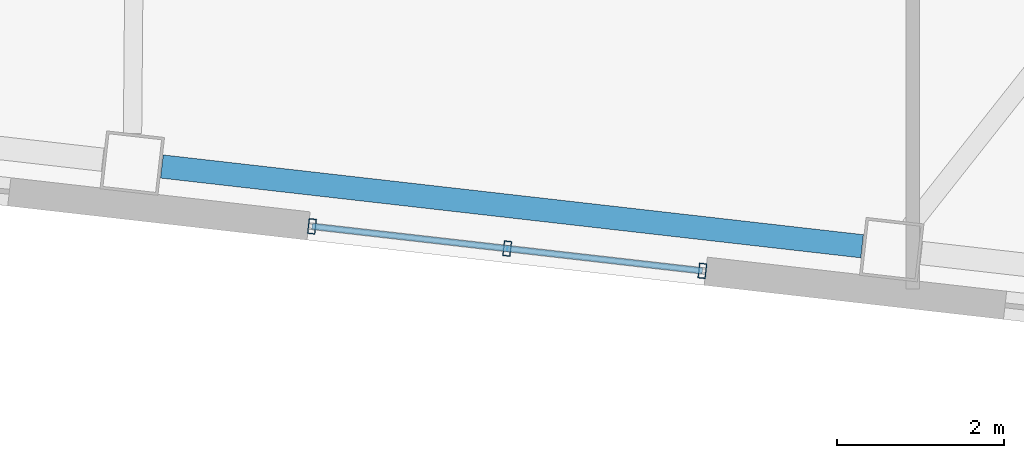
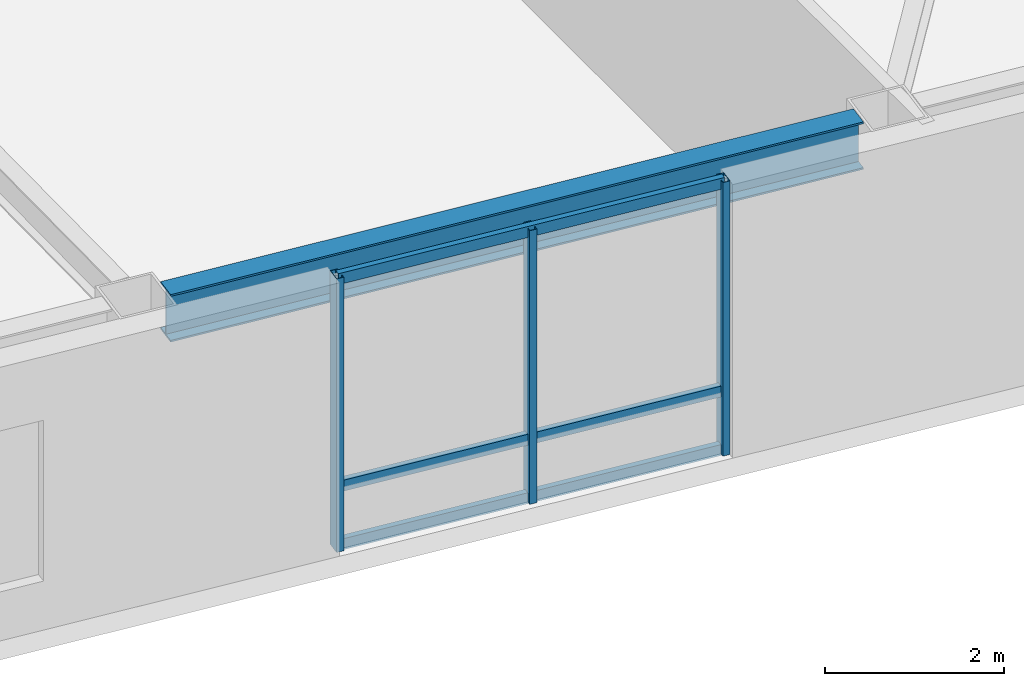
# One storey, part 3 of 19: 6 members, 1 beam, 1 element without a shape of its own.
"""IFC4 building model written with IfcOpenShell, lengths in metres."""

from ifc_helpers import new_model, si_unit, direction, frame, origin, origin_2d, place, context, subcontext, project, spatial, hollow_rectangle, i_section, extrude, material, layer, layer_set, material_profile, profile_set, type_object, element, aggregate, save


model = new_model("IFC4")

# Units and contexts
model_context = context("Model", 3, precision=1e-05, world=origin(), true_north=direction((0.0, 1.0)))
body_context = subcontext(model_context, "Body", "Model", "MODEL_VIEW")
ifc_project = project(units=[si_unit("LENGTHUNIT", "METRE"), si_unit("AREAUNIT", "SQUARE_METRE"), si_unit("VOLUMEUNIT", "CUBIC_METRE"), si_unit("PLANEANGLEUNIT", "RADIAN"), si_unit("MASSUNIT", "GRAM", prefix="KILO")], contexts=[model_context])

# Site, building, storey
site_placement = place(None, origin())
site = spatial("IfcSite", under=ifc_project, at=site_placement, CompositionType="ELEMENT")
building_placement = place(site_placement, origin())
building = spatial("IfcBuilding", under=site, at=building_placement, Name="Tavrogorsk Clinical Tower", CompositionType="ELEMENT")
storey_placement = place(building_placement, frame((0.0, 0.0, 101.39990234375)))
storey = spatial("IfcBuildingStorey", under=building, at=storey_placement, Name="L22", CompositionType="ELEMENT", Elevation=101.39990234375)

# Curtain wall, members
ifc_material_1 = material(Name="Anodised aluminium and triple IGU glazing", Category="aluminium")
ifc_layer = layer(ifc_material_1, 0.179931640625)
ifc_layer_set = layer_set([ifc_layer], Name="Anodised aluminium and triple IGU glazing")
curtain_wall_type = type_object("IfcCurtainWallType", Name="CW3_SouthSlot", PredefinedType="NOTDEFINED", material=ifc_layer_set)
curtain_wall_placement = place(storey_placement, origin())
curtain_wall = element("IfcCurtainWall", 1, at=curtain_wall_placement, inside=storey, type_object=curtain_wall_type, Name="L22 Curtain Wall CW-L22-S-SLOT-2", PredefinedType="NOTDEFINED")
ifc_material_2 = material(Name="Anodised aluminium alloy AW-6060", Category="aluminium")
ifc_material_profile_1 = material_profile(ifc_material_2, hollow_rectangle(XDim=0.090087890625, YDim=0.179931640625, WallThickness=0.00634765625, at=origin_2d()), Name="RHS-180x90x6.3")
ifc_profile_set_1 = profile_set([ifc_material_profile_1], Name="Anodised aluminium alloy AW-6060")
member_type_1 = type_object("IfcMemberType", Name="CwMullion_180x90", PredefinedType="MULLION", material=ifc_profile_set_1)
member_1_placement = place(storey_placement, frame((6.38623046875, -27.04345703125, 0.0), z_axis=(0.0, 0.0, 1.0), x_axis=(0.993571858269, -0.113203191016, 0.0)))
member_1 = element("IfcMember", 2, at=member_1_placement, type_object=member_type_1, Name="CW-L22-S-SLOT-2 Mullion 1", PredefinedType="MULLION", context=body_context, shape_type="SweptSolid", body=[
    extrude(hollow_rectangle(XDim=0.090087890625, YDim=0.179931640625, WallThickness=0.00634765625, at=origin_2d()), origin(), (0.0, 0.0, 1.0), 3.739990234375),
])
member_2_placement = place(storey_placement, frame((8.72998046875, -27.310546875, 0.0), z_axis=(0.0, 0.0, 1.0), x_axis=(0.993571858269, -0.113203191016, 0.0)))
member_2 = element("IfcMember", 3, at=member_2_placement, type_object=member_type_1, Name="CW-L22-S-SLOT-2 Mullion 2", PredefinedType="MULLION", context=body_context, shape_type="SweptSolid", body=[
    extrude(hollow_rectangle(XDim=0.090087890625, YDim=0.179931640625, WallThickness=0.00634765625, at=origin_2d()), origin(), (0.0, 0.0, 1.0), 3.739990234375),
])
member_3_placement = place(storey_placement, frame((11.07373046875, -27.57763671875, 0.0), z_axis=(0.0, 0.0, 1.0), x_axis=(0.993571858269, -0.113203191016, 0.0)))
member_3 = element("IfcMember", 4, at=member_3_placement, type_object=member_type_1, Name="CW-L22-S-SLOT-2 Mullion 3", PredefinedType="MULLION", context=body_context, shape_type="SweptSolid", body=[
    extrude(hollow_rectangle(XDim=0.090087890625, YDim=0.179931640625, WallThickness=0.00634765625, at=origin_2d()), origin(), (0.0, 0.0, 1.0), 3.739990234375),
])
ifc_material_3 = material(Name="Anodised aluminium alloy AW-6060", Category="aluminium")
ifc_material_profile_2 = material_profile(ifc_material_3, hollow_rectangle(XDim=0.074951171875, YDim=0.14990234375, WallThickness=0.0048828125, at=origin_2d()), Name="RHS-150x75x5")
ifc_profile_set_2 = profile_set([ifc_material_profile_2], Name="Anodised aluminium alloy AW-6060")
member_type_2 = type_object("IfcMemberType", Name="CwTransom_150x75", PredefinedType="USERDEFINED", material=ifc_profile_set_2)
member_4_placement = place(storey_placement, frame((6.38623046875, -27.04345703125, 0.050048828125), z_axis=(0.993569315854, -0.113225503286, 0.0), x_axis=(0.113225503286, 0.993569315854, 0.0)))
member_4 = element("IfcMember", 5, at=member_4_placement, type_object=member_type_2, Name="CW-L22-S-SLOT-2 Transom 1", ObjectType="TRANSOM", PredefinedType="USERDEFINED", context=body_context, shape_type="SweptSolid", body=[
    extrude(hollow_rectangle(XDim=0.074951171875, YDim=0.14990234375, WallThickness=0.0048828125, at=origin_2d()), origin(), (0.0, 0.0, 1.0), 4.7177734375),
])
member_5_placement = place(storey_placement, frame((6.38623046875, -27.04345703125, 0.85009765625), z_axis=(0.993569315854, -0.113225503286, 0.0), x_axis=(0.113225503286, 0.993569315854, 0.0)))
member_5 = element("IfcMember", 6, at=member_5_placement, type_object=member_type_2, Name="CW-L22-S-SLOT-2 Transom 2", ObjectType="TRANSOM", PredefinedType="USERDEFINED", context=body_context, shape_type="SweptSolid", body=[
    extrude(hollow_rectangle(XDim=0.074951171875, YDim=0.14990234375, WallThickness=0.0048828125, at=origin_2d()), origin(), (0.0, 0.0, 1.0), 4.7177734375),
])
member_6_placement = place(storey_placement, frame((6.38623046875, -27.04345703125, 3.690185546875), z_axis=(0.993569315854, -0.113225503286, 0.0), x_axis=(0.113225503286, 0.993569315854, 0.0)))
member_6 = element("IfcMember", 7, at=member_6_placement, type_object=member_type_2, Name="CW-L22-S-SLOT-2 Transom 3", ObjectType="TRANSOM", PredefinedType="USERDEFINED", context=body_context, shape_type="SweptSolid", body=[
    extrude(hollow_rectangle(XDim=0.074951171875, YDim=0.14990234375, WallThickness=0.0048828125, at=origin_2d()), origin(), (0.0, 0.0, 1.0), 4.7177734375),
])
aggregate(curtain_wall, [member_1, member_2, member_3, member_4, member_5, member_6])

# Beam
ifc_material_4 = material(Name="Structural steel S390", Category="steel")
ifc_material_profile_3 = material_profile(ifc_material_4, i_section(OverallWidth=0.280029296875, OverallDepth=0.64990234375, WebThickness=0.01611328125, FlangeThickness=0.02490234375, at=origin_2d()), Name="B-650x280x16x25")
ifc_profile_set_3 = profile_set([ifc_material_profile_3], Name="Structural steel S390")
beam_type = type_object("IfcBeamType", Name="SpandrelBeam_B650", PredefinedType="SPANDREL", material=ifc_profile_set_3)
beam_placement = place(storey_placement, frame((4.584228515625, -26.324951171875, 3.4150390625), z_axis=(0.99357306506, -0.113192598642, 0.0), x_axis=(0.113192598642, 0.99357306506, 0.0)))
element("IfcBeam", 8, at=beam_placement, inside=storey, type_object=beam_type, Name="L22 Perimeter Spandrel S5-S6", PredefinedType="SPANDREL", context=body_context, shape_type="SweptSolid", body=[
    extrude(i_section(OverallWidth=0.280029296875, OverallDepth=0.64990234375, WebThickness=0.01611328125, FlangeThickness=0.02490234375, at=origin_2d()), origin(), (0.0, 0.0, 1.0), 8.46142578125),
])

save(model, "model.ifc")
